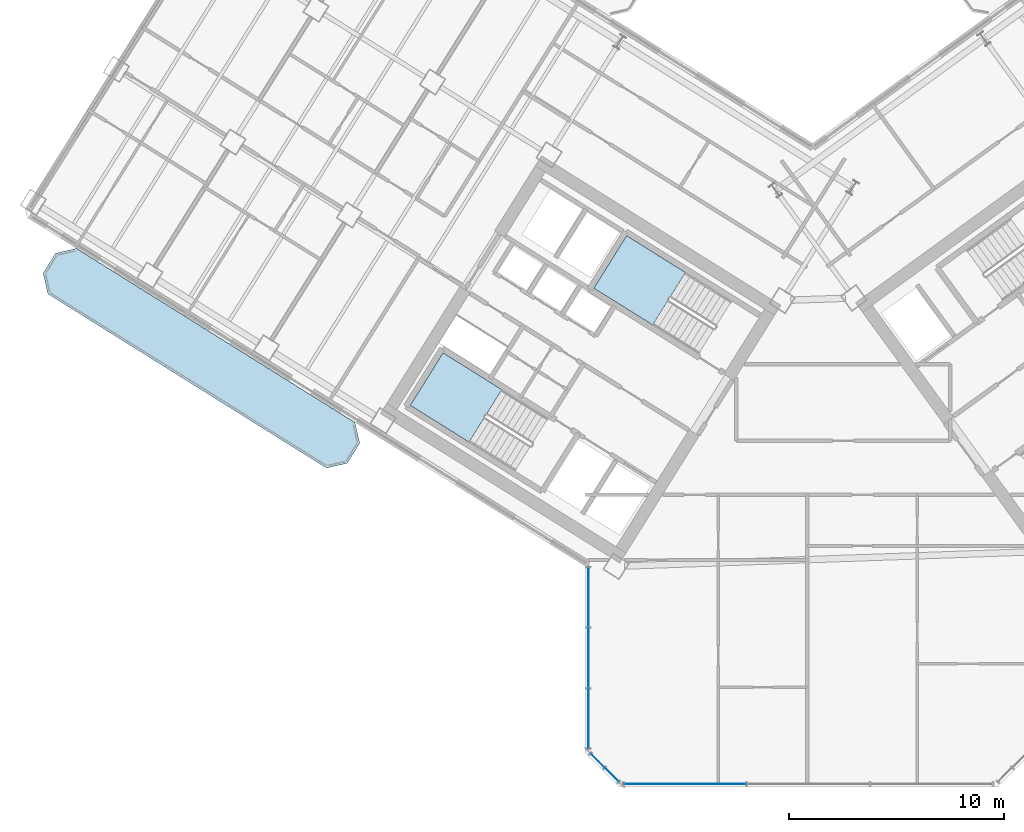
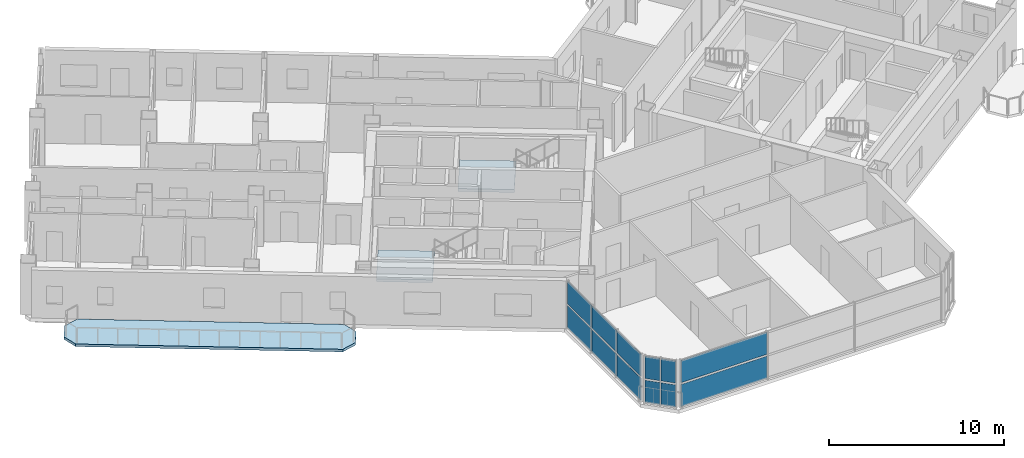
# One storey, part 8 of 21: 12 plates, 3 slabs, 5 elements without a shape of their own.
"""IFC4 building model written with IfcOpenShell, lengths in metres."""

from ifc_helpers import new_model, si_unit, direction, frame, origin, origin_2d, place, context, subcontext, project, spatial, polyline, rectangle, outline, extrude, source, transform, mapped, material, layer, layer_set, type_object, element, aggregate, save


model = new_model("IFC4")

# Units and contexts
model_context = context("Model", 3, precision=1e-05, world=origin(), true_north=direction((0.0, 1.0)))
body_context = subcontext(model_context, "Body", "Model", "MODEL_VIEW")
ifc_project = project(units=[si_unit("LENGTHUNIT", "METRE"), si_unit("AREAUNIT", "SQUARE_METRE"), si_unit("VOLUMEUNIT", "CUBIC_METRE"), si_unit("PLANEANGLEUNIT", "RADIAN"), si_unit("MASSUNIT", "GRAM", prefix="KILO")], contexts=[model_context])

# Site, building, storey
site_placement = place(None, origin())
site = spatial("IfcSite", under=ifc_project, at=site_placement, CompositionType="ELEMENT")
building_placement = place(site_placement, origin())
building = spatial("IfcBuilding", under=site, at=building_placement, Name="Tlacorven Tower", CompositionType="ELEMENT")
storey_placement = place(building_placement, frame((0.0, 0.0, 112.5)))
storey = spatial("IfcBuildingStorey", under=building, at=storey_placement, Name="L28", CompositionType="ELEMENT", Elevation=112.5)

# Slab
ifc_material_1 = material(Name="Precast concrete C45/55", Category="concrete")
ifc_layer_1 = layer(ifc_material_1, 0.179931640625)
ifc_layer_set_1 = layer_set([ifc_layer_1], Name="Precast concrete C45/55")
slab_type_1 = type_object("IfcSlabType", Name="SL-BAL-180", PredefinedType="USERDEFINED", material=ifc_layer_set_1)
slab_1_placement = place(storey_placement, frame((0.0, 0.0, -0.179931640625)))
element("IfcSlab", 1, at=slab_1_placement, inside=storey, type_object=slab_type_1, Name="L28 West Wing Balcony Ribbon OUT", ObjectType="BALCONY SLAB", PredefinedType="USERDEFINED", context=body_context, shape_type="SweptSolid", body=[
    extrude(outline(polyline([(20.88671875, 18.78271484375), (7.91162109375, 26.890625), (6.947021484375, 26.66796875), (6.366943359375, 25.7392578125), (6.589599609375, 24.774658203125), (19.564697265625, 16.6669921875), (20.529296875, 16.8896484375), (21.109375, 17.818115234375), (20.88671875, 18.78271484375)])), origin(), (0.0, 0.0, 1.0), 0.179931640625),
])

# Stair, slab
ifc_material_2 = material(Name="Concrete C40/50", Category="concrete")
stair_type = type_object("IfcStairType", Name="ST-CORE-DLG", PredefinedType="HALF_TURN_STAIR", material=ifc_material_2)
stair_1_placement = place(storey_placement, origin())
stair_1 = element("IfcStair", 2, at=stair_1_placement, inside=storey, type_object=stair_type, Name="L28 Protected Exit Stair West 1", PredefinedType="HALF_TURN_STAIR")
ifc_layer_2 = layer(ifc_material_2, 0.199951171875)
ifc_layer_set_2 = layer_set([ifc_layer_2], Name="Concrete C40/50")
slab_type_2 = type_object("IfcSlabType", Name="SL-LND-200", PredefinedType="LANDING", material=ifc_layer_set_2)
slab_2_placement = place(storey_placement, frame((0.0, 0.0, 1.60009765625)))
slab_2 = element("IfcSlab", 3, at=slab_2_placement, type_object=slab_type_2, Name="ST-W1 landing 1", PredefinedType="LANDING", context=body_context, shape_type="SweptSolid", body=[
    extrude(outline(polyline([(27.728515625, 20.315185546875), (24.9892578125, 22.02685546875), (23.463134765625, 19.58447265625), (26.2021484375, 17.872802734375), (27.728515625, 20.315185546875)])), origin(), (0.0, 0.0, 1.0), 0.199951171875),
])
aggregate(stair_1, [slab_2])

stair_2_placement = place(storey_placement, origin())
stair_2 = element("IfcStair", 4, at=stair_2_placement, inside=storey, type_object=stair_type, Name="L28 Protected Exit Stair West 2", PredefinedType="HALF_TURN_STAIR")
slab_3_placement = place(storey_placement, frame((0.0, 0.0, 1.60009765625)))
slab_3 = element("IfcSlab", 5, at=slab_3_placement, type_object=slab_type_2, Name="ST-W2 landing 1", PredefinedType="LANDING", context=body_context, shape_type="SweptSolid", body=[
    extrude(outline(polyline([(36.280029296875, 25.772705078125), (33.540771484375, 27.484375), (32.0146484375, 25.0419921875), (34.75390625, 23.33056640625), (36.280029296875, 25.772705078125)])), origin(), (0.0, 0.0, 1.0), 0.199951171875),
])
aggregate(stair_2, [slab_3])

# Curtain wall, plates
ifc_material_3 = material(Name="Dark solar low-E double glazing in aluminium frame", Category="aluminium")
curtain_wall_type = type_object("IfcCurtainWallType", Name="CW-TWR-MID", PredefinedType="USERDEFINED", material=ifc_material_3)
curtain_wall_1_placement = place(storey_placement, origin())
curtain_wall_1 = element("IfcCurtainWall", 6, at=curtain_wall_1_placement, inside=storey, type_object=curtain_wall_type, Name="L28 CW-TWR-MID Curtain Wall 141", ObjectType="UNITISED CURTAIN WALL", PredefinedType="USERDEFINED")
ifc_material_4 = material(Name="High-wind dark solar tempered low-E glazing", Category="glass")
ifc_layer_3 = layer(ifc_material_4, 0.028076171875)
ifc_layer_set_3 = layer_set([ifc_layer_3], Name="High-wind dark solar tempered low-E glazing")
plate_type = type_object("IfcPlateType", Name="CWP-03", PredefinedType="CURTAIN_PANEL", material=ifc_layer_set_3)
shared_shape_1 = source(origin(), body_context, "Body", "SweptSolid", [
    extrude(rectangle(XDim=0.885498046875, YDim=0.028076171875, at=origin_2d()), origin(), (0.0, 0.0, 1.0), 1.552978515625),
])
plate_1_placement = place(storey_placement, frame((32.8427734375, 2.38330078125, 0.06103515625), z_axis=(0.0, 0.0, 1.0), x_axis=(-0.707106781187, 0.707106781187, 0.0)))
plate_1 = element("IfcPlate", 7, at=plate_1_placement, type_object=plate_type, Name="CW-L28-141 Glazing Panel 1", PredefinedType="CURTAIN_PANEL", context=body_context, shape_type="MappedRepresentation", body=[
    mapped(shared_shape_1, transform((0.0, 0.0, 0.0), scale=1.0)),
])
plate_2_placement = place(storey_placement, frame((32.8427734375, 2.38330078125, 1.73583984375), z_axis=(0.0, 0.0, 1.0), x_axis=(-0.707106781187, 0.707106781187, 0.0)))
plate_2 = element("IfcPlate", 8, at=plate_2_placement, type_object=plate_type, Name="CW-L28-141 Glazing Panel 2", PredefinedType="CURTAIN_PANEL", context=body_context, shape_type="MappedRepresentation", body=[
    mapped(shared_shape_1, transform((0.0, 0.0, 0.0), scale=1.0)),
])
plate_3_placement = place(storey_placement, frame((32.183349609375, 3.04296875, 0.06103515625), z_axis=(0.0, 0.0, 1.0), x_axis=(-0.707106781187, 0.707106781187, 0.0)))
plate_3 = element("IfcPlate", 9, at=plate_3_placement, type_object=plate_type, Name="CW-L28-141 Glazing Panel 3", PredefinedType="CURTAIN_PANEL", context=body_context, shape_type="MappedRepresentation", body=[
    mapped(shared_shape_1, transform((0.0, 0.0, 0.0), scale=1.0)),
])
plate_4_placement = place(storey_placement, frame((32.183349609375, 3.04296875, 1.73583984375), z_axis=(0.0, 0.0, 1.0), x_axis=(-0.707106781187, 0.707106781187, 0.0)))
plate_4 = element("IfcPlate", 10, at=plate_4_placement, type_object=plate_type, Name="CW-L28-141 Glazing Panel 4", PredefinedType="CURTAIN_PANEL", context=body_context, shape_type="MappedRepresentation", body=[
    mapped(shared_shape_1, transform((0.0, 0.0, 0.0), scale=1.0)),
])
aggregate(curtain_wall_1, [plate_1, plate_2, plate_3, plate_4])

curtain_wall_2_placement = place(storey_placement, origin())
curtain_wall_2 = element("IfcCurtainWall", 11, at=curtain_wall_2_placement, inside=storey, type_object=curtain_wall_type, Name="L28 CW-TWR-MID Curtain Wall 140", ObjectType="UNITISED CURTAIN WALL", PredefinedType="USERDEFINED")
shared_shape_2 = source(origin(), body_context, "Body", "SweptSolid", [
    extrude(rectangle(XDim=5.67626953125, YDim=0.028076171875, at=origin_2d()), origin(), (0.0, 0.0, 1.0), 1.552978515625),
])
plate_5_placement = place(storey_placement, frame((36.260498046875, 1.9599609375, 0.06103515625), z_axis=(0.0, 0.0, 1.0), x_axis=(-1.0, 0.0, 0.0)))
plate_5 = element("IfcPlate", 12, at=plate_5_placement, type_object=plate_type, Name="CW-L28-140 Glazing Panel 5", PredefinedType="CURTAIN_PANEL", context=body_context, shape_type="MappedRepresentation", body=[
    mapped(shared_shape_2, transform((0.0, 0.0, 0.0), scale=1.0)),
])
plate_6_placement = place(storey_placement, frame((36.260498046875, 1.9599609375, 1.73583984375), z_axis=(0.0, 0.0, 1.0), x_axis=(-1.0, 0.0, 0.0)))
plate_6 = element("IfcPlate", 13, at=plate_6_placement, type_object=plate_type, Name="CW-L28-140 Glazing Panel 6", PredefinedType="CURTAIN_PANEL", context=body_context, shape_type="MappedRepresentation", body=[
    mapped(shared_shape_2, transform((0.0, 0.0, 0.0), scale=1.0)),
])
aggregate(curtain_wall_2, [plate_5, plate_6])

curtain_wall_3_placement = place(storey_placement, origin())
curtain_wall_3 = element("IfcCurtainWall", 14, at=curtain_wall_3_placement, inside=storey, type_object=curtain_wall_type, Name="L28 CW-TWR-MID Curtain Wall 142", ObjectType="UNITISED CURTAIN WALL", PredefinedType="USERDEFINED")
shared_shape_3 = source(origin(), body_context, "Body", "SweptSolid", [
    extrude(rectangle(XDim=2.759521484375, YDim=0.028076171875, at=origin_2d()), origin(), (0.0, 0.0, 1.0), 1.552978515625),
])
plate_7_placement = place(storey_placement, frame((31.760009765625, 5.001953125, 0.06103515625), z_axis=(0.0, 0.0, 1.0), x_axis=(0.0, 1.0, 0.0)))
plate_7 = element("IfcPlate", 15, at=plate_7_placement, type_object=plate_type, Name="CW-L28-142 Glazing Panel 1", PredefinedType="CURTAIN_PANEL", context=body_context, shape_type="MappedRepresentation", body=[
    mapped(shared_shape_3, transform((0.0, 0.0, 0.0), scale=1.0)),
])
plate_8_placement = place(storey_placement, frame((31.760009765625, 5.001953125, 1.73583984375), z_axis=(0.0, 0.0, 1.0), x_axis=(0.0, 1.0, 0.0)))
plate_8 = element("IfcPlate", 16, at=plate_8_placement, type_object=plate_type, Name="CW-L28-142 Glazing Panel 2", PredefinedType="CURTAIN_PANEL", context=body_context, shape_type="MappedRepresentation", body=[
    mapped(shared_shape_3, transform((0.0, 0.0, 0.0), scale=1.0)),
])
plate_9_placement = place(storey_placement, frame((31.760009765625, 10.6474609375, 0.06103515625), z_axis=(0.0, 0.0, 1.0), x_axis=(0.0, 1.0, 0.0)))
plate_9 = element("IfcPlate", 17, at=plate_9_placement, type_object=plate_type, Name="CW-L28-142 Glazing Panel 5", PredefinedType="CURTAIN_PANEL", context=body_context, shape_type="MappedRepresentation", body=[
    mapped(shared_shape_3, transform((0.0, 0.0, 0.0), scale=1.0)),
])
plate_10_placement = place(storey_placement, frame((31.760009765625, 10.6474609375, 1.73583984375), z_axis=(0.0, 0.0, 1.0), x_axis=(0.0, 1.0, 0.0)))
plate_10 = element("IfcPlate", 18, at=plate_10_placement, type_object=plate_type, Name="CW-L28-142 Glazing Panel 6", PredefinedType="CURTAIN_PANEL", context=body_context, shape_type="MappedRepresentation", body=[
    mapped(shared_shape_3, transform((0.0, 0.0, 0.0), scale=1.0)),
])
shared_shape_4 = source(origin(), body_context, "Body", "SweptSolid", [
    extrude(rectangle(XDim=2.7919921875, YDim=0.028076171875, at=origin_2d()), origin(), (0.0, 0.0, 1.0), 1.552978515625),
])
plate_11_placement = place(storey_placement, frame((31.760009765625, 7.82470703125, 0.06103515625), z_axis=(0.0, 0.0, 1.0), x_axis=(0.0, 1.0, 0.0)))
plate_11 = element("IfcPlate", 19, at=plate_11_placement, type_object=plate_type, Name="CW-L28-142 Glazing Panel 3", PredefinedType="CURTAIN_PANEL", context=body_context, shape_type="MappedRepresentation", body=[
    mapped(shared_shape_4, transform((0.0, 0.0, 0.0), scale=1.0)),
])
plate_12_placement = place(storey_placement, frame((31.760009765625, 7.82470703125, 1.73583984375), z_axis=(0.0, 0.0, 1.0), x_axis=(0.0, 1.0, 0.0)))
plate_12 = element("IfcPlate", 20, at=plate_12_placement, type_object=plate_type, Name="CW-L28-142 Glazing Panel 4", PredefinedType="CURTAIN_PANEL", context=body_context, shape_type="MappedRepresentation", body=[
    mapped(shared_shape_4, transform((0.0, 0.0, 0.0), scale=1.0)),
])
aggregate(curtain_wall_3, [plate_7, plate_8, plate_11, plate_12, plate_9, plate_10])

save(model, "model.ifc")
